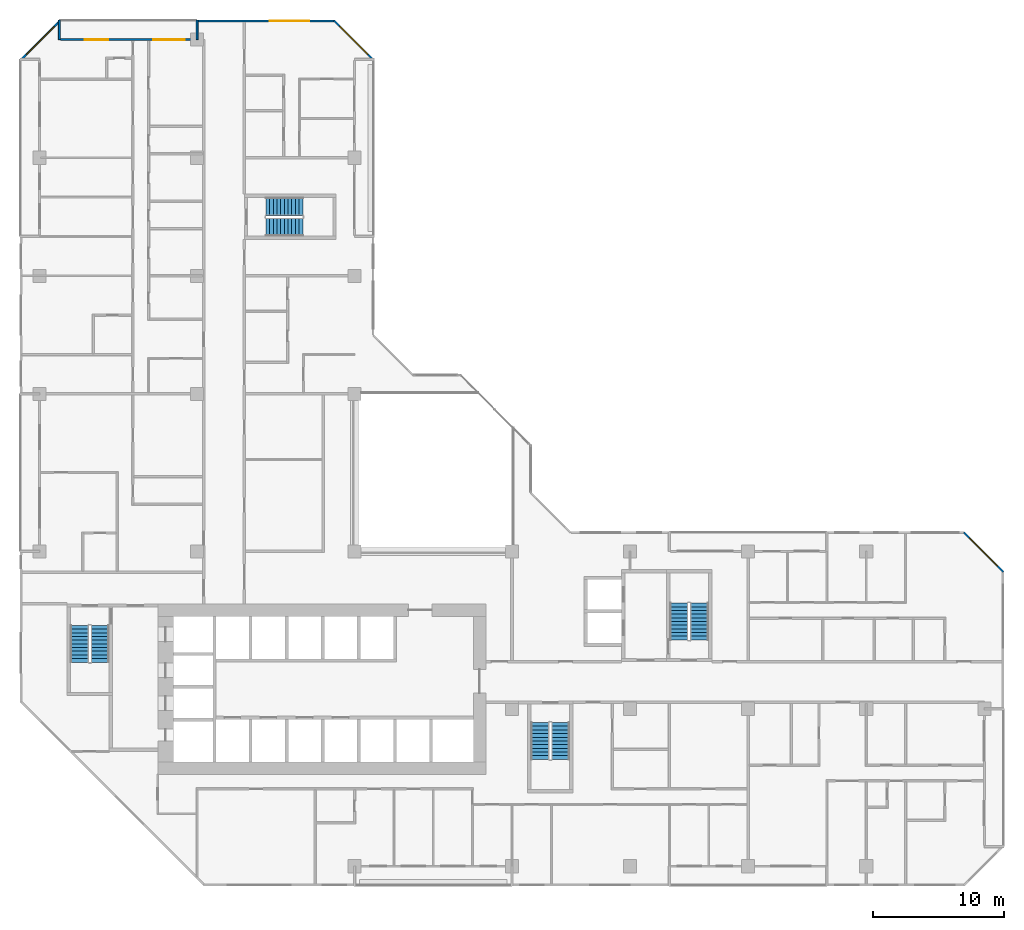
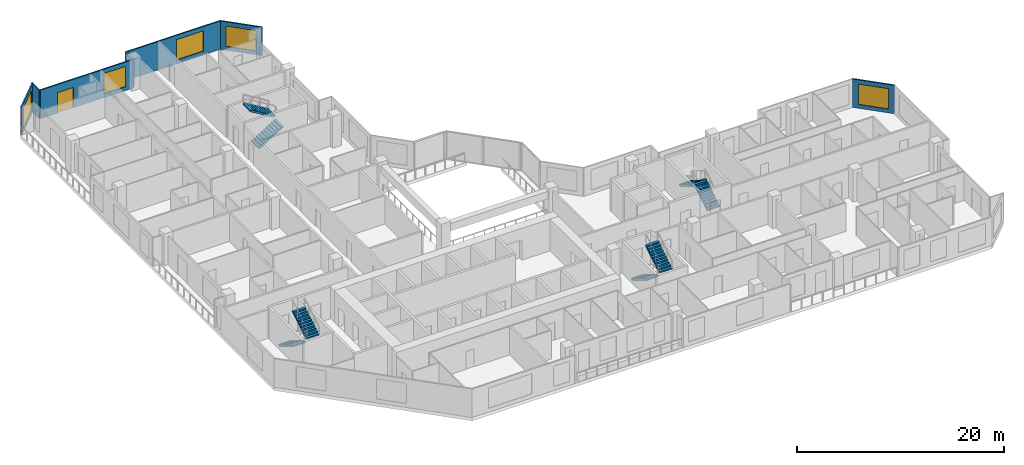
# One storey, part 13 of 15: 8 stair flights, 7 walls, 5 windows, 1 door, 6 openings, 4 elements without a shape of their own.
"""IFC4 building model written with IfcOpenShell, lengths in metres."""

from ifc_helpers import new_model, si_unit, direction, frame, frame_2d, origin, place, context, subcontext, project, spatial, polyline, rectangle, outline, extrude, material, layer, layer_set, type_object, element, fill, aggregate, save


model = new_model("IFC4")

# Units and contexts
model_context = context("Model", 3, precision=1e-05, world=origin(), true_north=direction((0.0, 1.0)))
body_context = subcontext(model_context, "Body", "Model", "MODEL_VIEW")
ifc_project = project(units=[si_unit("LENGTHUNIT", "METRE"), si_unit("AREAUNIT", "SQUARE_METRE"), si_unit("VOLUMEUNIT", "CUBIC_METRE"), si_unit("PLANEANGLEUNIT", "RADIAN"), si_unit("MASSUNIT", "GRAM", prefix="KILO")], contexts=[model_context])

# Site, building, storey
site_placement = place(None, origin())
site = spatial("IfcSite", under=ifc_project, at=site_placement, CompositionType="ELEMENT")
building_placement = place(site_placement, origin())
building = spatial("IfcBuilding", under=site, at=building_placement, Name="Chenar Terraces", CompositionType="ELEMENT")
storey_placement = place(building_placement, frame((0.0, 0.0, 125.64990234375)))
storey = spatial("IfcBuildingStorey", under=building, at=storey_placement, Name="L29", CompositionType="ELEMENT", Elevation=125.64990234375)

# Wall, opening, window
ifc_material_1 = material(Name="Aluminium framed glazing", Category="aluminium")
ifc_layer_1 = layer(ifc_material_1, 0.14990234375)
ifc_layer_set_1 = layer_set([ifc_layer_1], Name="Aluminium framed glazing")
wall_type_1 = type_object("IfcWallType", Name="Glazed flush facade wall 150", PredefinedType="SOLIDWALL", material=ifc_layer_set_1)
wall_1_placement = place(storey_placement, frame((22.5, 64.425048828125, 0.0), z_axis=(0.0, 0.0, 1.0), x_axis=(-1.0, 0.0, 0.0)))
wall_1 = element("IfcWall", 1, at=wall_1_placement, inside=storey, type_object=wall_type_1, Name="Glazed flush facade wall", PredefinedType="SOLIDWALL", context=body_context, shape_type="SweptSolid", body=[
    extrude(rectangle(XDim=10.425048828125, YDim=0.14990234375, at=frame_2d((5.21240234375, 0.0))), origin(), (0.0, 0.0, 1.0), 3.35009765625),
])
opening_1_placement = place(wall_1_placement, frame((1.949951171875, 0.0, 0.449951171875)))
opening_1 = element("IfcOpeningElement", 2, at=opening_1_placement, cuts=wall_1, Name="Opening W300x240", PredefinedType="OPENING", context=body_context, shape_type="SweptSolid", body=[
    extrude(rectangle(XDim=3.0, YDim=2.39990234375, at=frame_2d((1.5, 1.199951171875))), frame((0.0, 0.0849609375, 0.0), z_axis=(0.0, -1.0, 0.0), x_axis=(1.0, 0.0, 0.0)), (0.0, 0.0, 1.0), 0.169921875),
])
ifc_material_2 = material(Name="Low emissivity double glazing, aluminium frame", Category="aluminium")
window_type_1 = type_object("IfcWindowType", Name="Fixed light 3000 x 2400", PartitioningType="SINGLE_PANEL", PredefinedType="WINDOW", material=ifc_material_2)
window_1_placement = place(opening_1_placement, origin())
window_1 = element("IfcWindow", 3, at=window_1_placement, inside=storey, type_object=window_type_1, Name="Window", OverallHeight=2.39990234375, OverallWidth=3.0, PartitioningType="SINGLE_PANEL", PredefinedType="WINDOW", context=body_context, shape_type="SweptSolid", body=[
    extrude(rectangle(XDim=3.0, YDim=2.39990234375, at=frame_2d((1.5, 1.199951171875))), frame((0.0, 0.030029296875, 0.0), z_axis=(0.0, -1.0, 0.0), x_axis=(1.0, 0.0, 0.0)), (0.0, 0.0, 1.0), 0.06005859375),
])
fill(opening_1, window_1)

# Wall, openings, window, door
ifc_material_3 = material(Name="Aluminium framed glazing", Category="aluminium")
ifc_layer_2 = layer(ifc_material_3, 0.14990234375)
ifc_layer_set_2 = layer_set([ifc_layer_2], Name="Aluminium framed glazing")
wall_type_2 = type_object("IfcWallType", Name="Glazed loggia back wall 150", PredefinedType="SOLIDWALL", material=ifc_layer_set_2)
wall_2_placement = place(storey_placement, frame((11.925048828125, 63.0, 0.0), z_axis=(0.0, 0.0, 1.0), x_axis=(-1.0, 0.0, 0.0)))
wall_2 = element("IfcWall", 4, at=wall_2_placement, inside=storey, type_object=wall_type_2, Name="Glazed loggia back wall", PredefinedType="SOLIDWALL", context=body_context, shape_type="SweptSolid", body=[
    extrude(rectangle(XDim=10.35009765625, YDim=0.14990234375, at=frame_2d((5.175048828125, 0.0))), origin(), (0.0, 0.0, 1.0), 3.35009765625),
])
opening_2_placement = place(wall_2_placement, frame((0.875, 0.0, 0.449951171875)))
opening_2 = element("IfcOpeningElement", 5, at=opening_2_placement, cuts=wall_2, Name="Opening W240x240", PredefinedType="OPENING", context=body_context, shape_type="SweptSolid", body=[
    extrude(rectangle(XDim=2.39990234375, YDim=2.39990234375, at=frame_2d((1.199951171875, 1.199951171875))), frame((0.0, 0.0849609375, 0.0), z_axis=(0.0, -1.0, 0.0), x_axis=(1.0, 0.0, 0.0)), (0.0, 0.0, 1.0), 0.169921875),
])
opening_3_placement = place(wall_2_placement, frame((6.6875, 0.0, 0.0)))
opening_3 = element("IfcOpeningElement", 6, at=opening_3_placement, cuts=wall_2, Name="Opening DL29-G3", PredefinedType="OPENING", context=body_context, shape_type="SweptSolid", body=[
    extrude(rectangle(XDim=1.800048828125, YDim=2.39990234375, at=frame_2d((0.89990234375, 1.199951171875))), frame((0.0, 0.0849609375, 0.0), z_axis=(0.0, -1.0, 0.0), x_axis=(1.0, 0.0, 0.0)), (0.0, 0.0, 1.0), 0.169921875),
])
ifc_material_4 = material(Name="Low emissivity double glazing, aluminium frame", Category="aluminium")
window_type_2 = type_object("IfcWindowType", Name="Fixed light 2400 x 2400", PartitioningType="SINGLE_PANEL", PredefinedType="WINDOW", material=ifc_material_4)
window_2_placement = place(opening_2_placement, origin())
window_2 = element("IfcWindow", 7, at=window_2_placement, inside=storey, type_object=window_type_2, Name="Window", OverallHeight=2.39990234375, OverallWidth=2.39990234375, PartitioningType="SINGLE_PANEL", PredefinedType="WINDOW", context=body_context, shape_type="SweptSolid", body=[
    extrude(rectangle(XDim=2.39990234375, YDim=2.39990234375, at=frame_2d((1.199951171875, 1.199951171875))), frame((0.0, 0.030029296875, 0.0), z_axis=(0.0, -1.0, 0.0), x_axis=(1.0, 0.0, 0.0)), (0.0, 0.0, 1.0), 0.06005859375),
])
fill(opening_2, window_2)
ifc_material_5 = material(Name="Low emissivity double glazing, aluminium frame", Category="aluminium")
door_type = type_object("IfcDoorType", Name="Loggia glazed double door 1800 x 2400", OperationType="DOUBLE_DOOR_SINGLE_SWING", PredefinedType="DOOR", material=ifc_material_5)
door_placement = place(opening_3_placement, frame((1.800048828125, 0.0, 0.0), z_axis=(0.0, 0.0, 1.0), x_axis=(-1.0, 0.0, 0.0)))
door = element("IfcDoor", 8, at=door_placement, inside=storey, type_object=door_type, Name="Loggia glazed door", OperationType="DOUBLE_DOOR_SINGLE_SWING", OverallHeight=2.39990234375, OverallWidth=1.800048828125, PredefinedType="DOOR", context=body_context, shape_type="SweptSolid", body=[
    extrude(rectangle(XDim=1.800048828125, YDim=2.39990234375, at=frame_2d((0.89990234375, 1.199951171875))), frame((0.0, 0.02490234375, 0.0), z_axis=(0.0, -1.0, 0.0), x_axis=(1.0, 0.0, 0.0)), (0.0, 0.0, 1.0), 0.050048828125),
])
fill(opening_3, door)

# Walls
ifc_material_6 = material(Name="Terracotta cladding on insulated backing", Category="masonry")
ifc_layer_3 = layer(ifc_material_6, 0.14990234375)
ifc_layer_set_3 = layer_set([ifc_layer_3], Name="Terracotta cladding on insulated backing")
wall_type_3 = type_object("IfcWallType", Name="Loggia return wall 150", PredefinedType="SOLIDWALL", material=ifc_layer_set_3)
for number, where, z_axis, x_axis, name in (
    (9, (12.0, 64.5, 0.0), (0.0, 0.0, 1.0), (0.0, -1.0, 0.0), "Loggia return wall"),
    (10, (1.5, 64.5, 0.0), (0.0, 0.0, 1.0), (0.0, -1.0, 0.0), "Loggia return wall"),
):
    element("IfcWall", number, at=place(storey_placement, frame(where, z_axis=z_axis, x_axis=x_axis)), inside=storey, type_object=wall_type_3, Name=name, PredefinedType="SOLIDWALL", context=body_context, shape_type="SweptSolid", body=[
        extrude(rectangle(XDim=1.5, YDim=0.14990234375, at=frame_2d((0.75, 0.0))), origin(), (0.0, 0.0, 1.0), 3.35009765625),
    ])

# Wall, opening, window
ifc_material_7 = material(Name="Terracotta cladding on insulated backing", Category="masonry")
ifc_layer_4 = layer(ifc_material_7, 0.14990234375)
ifc_layer_set_4 = layer_set([ifc_layer_4], Name="Terracotta cladding on insulated backing")
wall_type_4 = type_object("IfcWallType", Name="Terracotta rainscreen wall 150", PredefinedType="SOLIDWALL", material=ifc_layer_set_4)
wall_3_placement = place(storey_placement, frame((25.447021484375, 61.447021484375, 0.0), z_axis=(0.0, 0.0, 1.0), x_axis=(-0.707106781187, 0.707106781187, 0.0)))
wall_3 = element("IfcWall", 11, at=wall_3_placement, inside=storey, type_object=wall_type_4, Name="Terracotta rainscreen wall", PredefinedType="SOLIDWALL", context=body_context, shape_type="SweptSolid", body=[
    extrude(rectangle(XDim=4.24267578125, YDim=0.14990234375, at=frame_2d((2.121337890625, 0.0))), origin(), (0.0, 0.0, 1.0), 3.35009765625),
])
opening_4_placement = place(wall_3_placement, frame((0.621337890625, 0.0, 0.449951171875)))
opening_4 = element("IfcOpeningElement", 12, at=opening_4_placement, cuts=wall_3, Name="Opening W300x240", PredefinedType="OPENING", context=body_context, shape_type="SweptSolid", body=[
    extrude(rectangle(XDim=3.0, YDim=2.39990234375, at=frame_2d((1.5, 1.199951171875))), frame((0.0, 0.0849609375, 0.0), z_axis=(0.0, -1.0, 0.0), x_axis=(1.0, 0.0, 0.0)), (0.0, 0.0, 1.0), 0.169921875),
])
window_3_placement = place(opening_4_placement, origin())
window_3 = element("IfcWindow", 13, at=window_3_placement, inside=storey, type_object=window_type_1, Name="Window", OverallHeight=2.39990234375, OverallWidth=3.0, PartitioningType="SINGLE_PANEL", PredefinedType="WINDOW", context=body_context, shape_type="SweptSolid", body=[
    extrude(rectangle(XDim=3.0, YDim=2.39990234375, at=frame_2d((1.5, 1.199951171875))), frame((0.0, 0.030029296875, 0.0), z_axis=(0.0, -1.0, 0.0), x_axis=(1.0, 0.0, 0.0)), (0.0, 0.0, 1.0), 0.06005859375),
])
fill(opening_4, window_3)

wall_4_placement = place(storey_placement, frame((1.552978515625, 64.447021484375, 0.0), z_axis=(0.0, 0.0, 1.0), x_axis=(-0.707106781187, -0.707106781187, 0.0)))
wall_4 = element("IfcWall", 14, at=wall_4_placement, inside=storey, type_object=wall_type_4, Name="Terracotta rainscreen wall", PredefinedType="SOLIDWALL", context=body_context, shape_type="SweptSolid", body=[
    extrude(rectangle(XDim=4.24267578125, YDim=0.14990234375, at=frame_2d((2.121337890625, 0.0))), origin(), (0.0, 0.0, 1.0), 3.35009765625),
])
opening_5_placement = place(wall_4_placement, frame((0.621337890625, 0.0, 0.449951171875)))
opening_5 = element("IfcOpeningElement", 15, at=opening_5_placement, cuts=wall_4, Name="Opening W300x240", PredefinedType="OPENING", context=body_context, shape_type="SweptSolid", body=[
    extrude(rectangle(XDim=3.0, YDim=2.39990234375, at=frame_2d((1.5, 1.199951171875))), frame((0.0, 0.0849609375, 0.0), z_axis=(0.0, -1.0, 0.0), x_axis=(1.0, 0.0, 0.0)), (0.0, 0.0, 1.0), 0.169921875),
])
window_4_placement = place(opening_5_placement, origin())
window_4 = element("IfcWindow", 16, at=window_4_placement, inside=storey, type_object=window_type_1, Name="Window", OverallHeight=2.39990234375, OverallWidth=3.0, PartitioningType="SINGLE_PANEL", PredefinedType="WINDOW", context=body_context, shape_type="SweptSolid", body=[
    extrude(rectangle(XDim=3.0, YDim=2.39990234375, at=frame_2d((1.5, 1.199951171875))), frame((0.0, 0.030029296875, 0.0), z_axis=(0.0, -1.0, 0.0), x_axis=(1.0, 0.0, 0.0)), (0.0, 0.0, 1.0), 0.06005859375),
])
fill(opening_5, window_4)

wall_5_placement = place(storey_placement, frame((73.447021484375, 22.447021484375, 0.0), z_axis=(0.0, 0.0, 1.0), x_axis=(-0.707106781187, 0.707106781187, 0.0)))
wall_5 = element("IfcWall", 17, at=wall_5_placement, inside=storey, type_object=wall_type_4, Name="Terracotta rainscreen wall", PredefinedType="SOLIDWALL", context=body_context, shape_type="SweptSolid", body=[
    extrude(rectangle(XDim=4.24267578125, YDim=0.14990234375, at=frame_2d((2.121337890625, 0.0))), origin(), (0.0, 0.0, 1.0), 3.35009765625),
])
opening_6_placement = place(wall_5_placement, frame((0.621337890625, 0.0, 0.449951171875)))
opening_6 = element("IfcOpeningElement", 18, at=opening_6_placement, cuts=wall_5, Name="Opening W300x240", PredefinedType="OPENING", context=body_context, shape_type="SweptSolid", body=[
    extrude(rectangle(XDim=3.0, YDim=2.39990234375, at=frame_2d((1.5, 1.199951171875))), frame((0.0, 0.0849609375, 0.0), z_axis=(0.0, -1.0, 0.0), x_axis=(1.0, 0.0, 0.0)), (0.0, 0.0, 1.0), 0.169921875),
])
window_5_placement = place(opening_6_placement, origin())
window_5 = element("IfcWindow", 19, at=window_5_placement, inside=storey, type_object=window_type_1, Name="Window", OverallHeight=2.39990234375, OverallWidth=3.0, PartitioningType="SINGLE_PANEL", PredefinedType="WINDOW", context=body_context, shape_type="SweptSolid", body=[
    extrude(rectangle(XDim=3.0, YDim=2.39990234375, at=frame_2d((1.5, 1.199951171875))), frame((0.0, 0.030029296875, 0.0), z_axis=(0.0, -1.0, 0.0), x_axis=(1.0, 0.0, 0.0)), (0.0, 0.0, 1.0), 0.06005859375),
])
fill(opening_6, window_5)

# Stair, stair flights
ifc_material_8 = material(Name="Reinforced concrete C40/50", Category="concrete")
stair_type = type_object("IfcStairType", Name="Core stair 1400 half-turn", PredefinedType="HALF_TURN_STAIR", material=ifc_material_8)
placement = place(storey_placement, origin())
stair_1 = element("IfcStair", 20, at=placement, inside=storey, type_object=stair_type, Name="L29 Stair 1", PredefinedType="HALF_TURN_STAIR")
ifc_material_9 = material(Name="Reinforced concrete C40/50", Category="concrete")
stair_flight_type = type_object("IfcStairFlightType", Name="Core stair flight 1400", PredefinedType="STRAIGHT", material=ifc_material_9)
stair_flight_1_placement = place(storey_placement, frame((3.050048828125, 18.35009765625, 0.0), z_axis=(0.0, 0.0, 1.0), x_axis=(0.0, -1.0, 0.0)))
stair_flight_1 = element("IfcStairFlight", 21, at=stair_flight_1_placement, type_object=stair_flight_type, Name="ST1 flight 1", NumberOfRisers=11, NumberOfTreads=10, PredefinedType="STRAIGHT", RiserHeight=0.170454545, TreadLength=0.28, context=body_context, shape_type="SweptSolid", body=[
    extrude(outline(polyline([(-0.0029296875, 0.0), (-0.0029296875, 0.17041015625), (0.0, 0.17041015625), (0.280029296875, 0.17041015625), (0.280029296875, 0.3408203125), (0.56005859375, 0.3408203125), (0.56005859375, 0.511474609375), (0.840087890625, 0.511474609375), (0.840087890625, 0.681884765625), (1.1201171875, 0.681884765625), (1.1201171875, 0.852294921875), (1.39990234375, 0.852294921875), (1.39990234375, 1.022705078125), (1.679931640625, 1.022705078125), (1.679931640625, 1.193115234375), (1.9599609375, 1.193115234375), (1.9599609375, 1.363525390625), (2.239990234375, 1.363525390625), (2.239990234375, 1.5341796875), (2.52001953125, 1.5341796875), (2.52001953125, 1.70458984375), (2.800048828125, 1.70458984375), (2.802978515625, 1.70458984375), (2.802978515625, 1.529052734375), (2.800048828125, 1.529052734375), (0.288330078125, 0.0), (-0.0029296875, 0.0)])), frame((0.0, 0.699951171875, 0.0), z_axis=(0.0, -1.0, 0.0), x_axis=(1.0, 0.0, 0.0)), (0.0, 0.0, 1.0), 1.39990234375),
])
stair_flight_2_placement = place(storey_placement, frame((4.60009765625, 15.550048828125, 1.875), z_axis=(0.0, 0.0, 1.0), x_axis=(0.0, 1.0, 0.0)))
stair_flight_2 = element("IfcStairFlight", 22, at=stair_flight_2_placement, type_object=stair_flight_type, Name="ST1 flight 2", NumberOfRisers=11, NumberOfTreads=10, PredefinedType="STRAIGHT", RiserHeight=0.170454545, TreadLength=0.28, context=body_context, shape_type="SweptSolid", body=[
    extrude(outline(polyline([(-0.0029296875, 0.0), (-0.0029296875, 0.17041015625), (0.0, 0.17041015625), (0.280029296875, 0.17041015625), (0.280029296875, 0.3408203125), (0.56005859375, 0.3408203125), (0.56005859375, 0.511474609375), (0.840087890625, 0.511474609375), (0.840087890625, 0.681884765625), (1.1201171875, 0.681884765625), (1.1201171875, 0.852294921875), (1.39990234375, 0.852294921875), (1.39990234375, 1.022705078125), (1.679931640625, 1.022705078125), (1.679931640625, 1.193115234375), (1.9599609375, 1.193115234375), (1.9599609375, 1.363525390625), (2.239990234375, 1.363525390625), (2.239990234375, 1.5341796875), (2.52001953125, 1.5341796875), (2.52001953125, 1.70458984375), (2.800048828125, 1.70458984375), (2.802978515625, 1.70458984375), (2.802978515625, 1.529052734375), (2.800048828125, 1.529052734375), (0.288330078125, 0.0), (-0.0029296875, 0.0)])), frame((0.0, 0.699951171875, 0.0), z_axis=(0.0, -1.0, 0.0), x_axis=(1.0, 0.0, 0.0)), (0.0, 0.0, 1.0), 1.39990234375),
])
aggregate(stair_1, [stair_flight_1, stair_flight_2])

stair_2 = element("IfcStair", 23, at=placement, inside=storey, type_object=stair_type, Name="L29 Stair 2", PredefinedType="HALF_TURN_STAIR")
stair_flight_3_placement = place(storey_placement, frame((38.14990234375, 10.949951171875, 0.0), z_axis=(0.0, 0.0, 1.0), x_axis=(0.0, -1.0, 0.0)))
stair_flight_3 = element("IfcStairFlight", 24, at=stair_flight_3_placement, type_object=stair_flight_type, Name="ST2 flight 1", NumberOfRisers=11, NumberOfTreads=10, PredefinedType="STRAIGHT", RiserHeight=0.170454545, TreadLength=0.28, context=body_context, shape_type="SweptSolid", body=[
    extrude(outline(polyline([(-0.0029296875, 0.0), (-0.0029296875, 0.17041015625), (0.0, 0.17041015625), (0.280029296875, 0.17041015625), (0.280029296875, 0.3408203125), (0.56005859375, 0.3408203125), (0.56005859375, 0.511474609375), (0.840087890625, 0.511474609375), (0.840087890625, 0.681884765625), (1.1201171875, 0.681884765625), (1.1201171875, 0.852294921875), (1.39990234375, 0.852294921875), (1.39990234375, 1.022705078125), (1.679931640625, 1.022705078125), (1.679931640625, 1.193115234375), (1.9599609375, 1.193115234375), (1.9599609375, 1.363525390625), (2.239990234375, 1.363525390625), (2.239990234375, 1.5341796875), (2.52001953125, 1.5341796875), (2.52001953125, 1.70458984375), (2.800048828125, 1.70458984375), (2.802978515625, 1.70458984375), (2.802978515625, 1.529052734375), (2.800048828125, 1.529052734375), (0.288330078125, 0.0), (-0.0029296875, 0.0)])), frame((0.0, 0.699951171875, 0.0), z_axis=(0.0, -1.0, 0.0), x_axis=(1.0, 0.0, 0.0)), (0.0, 0.0, 1.0), 1.39990234375),
])
stair_flight_4_placement = place(storey_placement, frame((39.699951171875, 8.14990234375, 1.875), z_axis=(0.0, 0.0, 1.0), x_axis=(0.0, 1.0, 0.0)))
stair_flight_4 = element("IfcStairFlight", 25, at=stair_flight_4_placement, type_object=stair_flight_type, Name="ST2 flight 2", NumberOfRisers=11, NumberOfTreads=10, PredefinedType="STRAIGHT", RiserHeight=0.170454545, TreadLength=0.28, context=body_context, shape_type="SweptSolid", body=[
    extrude(outline(polyline([(-0.0029296875, 0.0), (-0.0029296875, 0.17041015625), (0.0, 0.17041015625), (0.280029296875, 0.17041015625), (0.280029296875, 0.3408203125), (0.56005859375, 0.3408203125), (0.56005859375, 0.511474609375), (0.840087890625, 0.511474609375), (0.840087890625, 0.681884765625), (1.1201171875, 0.681884765625), (1.1201171875, 0.852294921875), (1.39990234375, 0.852294921875), (1.39990234375, 1.022705078125), (1.679931640625, 1.022705078125), (1.679931640625, 1.193115234375), (1.9599609375, 1.193115234375), (1.9599609375, 1.363525390625), (2.239990234375, 1.363525390625), (2.239990234375, 1.5341796875), (2.52001953125, 1.5341796875), (2.52001953125, 1.70458984375), (2.800048828125, 1.70458984375), (2.802978515625, 1.70458984375), (2.802978515625, 1.529052734375), (2.800048828125, 1.529052734375), (0.288330078125, 0.0), (-0.0029296875, 0.0)])), frame((0.0, 0.699951171875, 0.0), z_axis=(0.0, -1.0, 0.0), x_axis=(1.0, 0.0, 0.0)), (0.0, 0.0, 1.0), 1.39990234375),
])
aggregate(stair_2, [stair_flight_3, stair_flight_4])

stair_3 = element("IfcStair", 26, at=placement, inside=storey, type_object=stair_type, Name="L29 Stair 3", PredefinedType="HALF_TURN_STAIR")
stair_flight_5_placement = place(storey_placement, frame((50.27490234375, 17.25, 0.0), z_axis=(0.0, 0.0, 1.0), x_axis=(0.0, 1.0, 0.0)))
stair_flight_5 = element("IfcStairFlight", 27, at=stair_flight_5_placement, type_object=stair_flight_type, Name="ST3 flight 1", NumberOfRisers=11, NumberOfTreads=10, PredefinedType="STRAIGHT", RiserHeight=0.170454545, TreadLength=0.28, context=body_context, shape_type="SweptSolid", body=[
    extrude(outline(polyline([(-0.0029296875, 0.0), (-0.0029296875, 0.17041015625), (0.0, 0.17041015625), (0.280029296875, 0.17041015625), (0.280029296875, 0.3408203125), (0.56005859375, 0.3408203125), (0.56005859375, 0.511474609375), (0.840087890625, 0.511474609375), (0.840087890625, 0.681884765625), (1.1201171875, 0.681884765625), (1.1201171875, 0.852294921875), (1.39990234375, 0.852294921875), (1.39990234375, 1.022705078125), (1.679931640625, 1.022705078125), (1.679931640625, 1.193115234375), (1.9599609375, 1.193115234375), (1.9599609375, 1.363525390625), (2.239990234375, 1.363525390625), (2.239990234375, 1.5341796875), (2.52001953125, 1.5341796875), (2.52001953125, 1.70458984375), (2.800048828125, 1.70458984375), (2.802978515625, 1.70458984375), (2.802978515625, 1.529052734375), (2.800048828125, 1.529052734375), (0.288330078125, 0.0), (-0.0029296875, 0.0)])), frame((0.0, 0.699951171875, 0.0), z_axis=(0.0, -1.0, 0.0), x_axis=(1.0, 0.0, 0.0)), (0.0, 0.0, 1.0), 1.39990234375),
])
stair_flight_6_placement = place(storey_placement, frame((48.72509765625, 20.050048828125, 1.875), z_axis=(0.0, 0.0, 1.0), x_axis=(0.0, -1.0, 0.0)))
stair_flight_6 = element("IfcStairFlight", 28, at=stair_flight_6_placement, type_object=stair_flight_type, Name="ST3 flight 2", NumberOfRisers=11, NumberOfTreads=10, PredefinedType="STRAIGHT", RiserHeight=0.170454545, TreadLength=0.28, context=body_context, shape_type="SweptSolid", body=[
    extrude(outline(polyline([(-0.0029296875, 0.0), (-0.0029296875, 0.17041015625), (0.0, 0.17041015625), (0.280029296875, 0.17041015625), (0.280029296875, 0.3408203125), (0.56005859375, 0.3408203125), (0.56005859375, 0.511474609375), (0.840087890625, 0.511474609375), (0.840087890625, 0.681884765625), (1.1201171875, 0.681884765625), (1.1201171875, 0.852294921875), (1.39990234375, 0.852294921875), (1.39990234375, 1.022705078125), (1.679931640625, 1.022705078125), (1.679931640625, 1.193115234375), (1.9599609375, 1.193115234375), (1.9599609375, 1.363525390625), (2.239990234375, 1.363525390625), (2.239990234375, 1.5341796875), (2.52001953125, 1.5341796875), (2.52001953125, 1.70458984375), (2.800048828125, 1.70458984375), (2.802978515625, 1.70458984375), (2.802978515625, 1.529052734375), (2.800048828125, 1.529052734375), (0.288330078125, 0.0), (-0.0029296875, 0.0)])), frame((0.0, 0.699951171875, 0.0), z_axis=(0.0, -1.0, 0.0), x_axis=(1.0, 0.0, 0.0)), (0.0, 0.0, 1.0), 1.39990234375),
])
aggregate(stair_3, [stair_flight_5, stair_flight_6])

stair_4 = element("IfcStair", 29, at=placement, inside=storey, type_object=stair_type, Name="L29 Stair 4", PredefinedType="HALF_TURN_STAIR")
stair_flight_7_placement = place(storey_placement, frame((17.25, 48.72509765625, 0.0), z_axis=(0.0, 0.0, 1.0), x_axis=(1.0, 0.0, 0.0)))
stair_flight_7 = element("IfcStairFlight", 30, at=stair_flight_7_placement, type_object=stair_flight_type, Name="ST4 flight 1", NumberOfRisers=11, NumberOfTreads=10, PredefinedType="STRAIGHT", RiserHeight=0.170454545, TreadLength=0.28, context=body_context, shape_type="SweptSolid", body=[
    extrude(outline(polyline([(-0.0029296875, 0.0), (-0.0029296875, 0.17041015625), (0.0, 0.17041015625), (0.280029296875, 0.17041015625), (0.280029296875, 0.3408203125), (0.56005859375, 0.3408203125), (0.56005859375, 0.511474609375), (0.840087890625, 0.511474609375), (0.840087890625, 0.681884765625), (1.1201171875, 0.681884765625), (1.1201171875, 0.852294921875), (1.39990234375, 0.852294921875), (1.39990234375, 1.022705078125), (1.679931640625, 1.022705078125), (1.679931640625, 1.193115234375), (1.9599609375, 1.193115234375), (1.9599609375, 1.363525390625), (2.239990234375, 1.363525390625), (2.239990234375, 1.5341796875), (2.52001953125, 1.5341796875), (2.52001953125, 1.70458984375), (2.800048828125, 1.70458984375), (2.802978515625, 1.70458984375), (2.802978515625, 1.529052734375), (2.800048828125, 1.529052734375), (0.288330078125, 0.0), (-0.0029296875, 0.0)])), frame((0.0, 0.699951171875, 0.0), z_axis=(0.0, -1.0, 0.0), x_axis=(1.0, 0.0, 0.0)), (0.0, 0.0, 1.0), 1.39990234375),
])
stair_flight_8_placement = place(storey_placement, frame((20.050048828125, 50.27490234375, 1.875), z_axis=(0.0, 0.0, 1.0), x_axis=(-1.0, 0.0, 0.0)))
stair_flight_8 = element("IfcStairFlight", 31, at=stair_flight_8_placement, type_object=stair_flight_type, Name="ST4 flight 2", NumberOfRisers=11, NumberOfTreads=10, PredefinedType="STRAIGHT", RiserHeight=0.170454545, TreadLength=0.28, context=body_context, shape_type="SweptSolid", body=[
    extrude(outline(polyline([(-0.0029296875, 0.0), (-0.0029296875, 0.17041015625), (0.0, 0.17041015625), (0.280029296875, 0.17041015625), (0.280029296875, 0.3408203125), (0.56005859375, 0.3408203125), (0.56005859375, 0.511474609375), (0.840087890625, 0.511474609375), (0.840087890625, 0.681884765625), (1.1201171875, 0.681884765625), (1.1201171875, 0.852294921875), (1.39990234375, 0.852294921875), (1.39990234375, 1.022705078125), (1.679931640625, 1.022705078125), (1.679931640625, 1.193115234375), (1.9599609375, 1.193115234375), (1.9599609375, 1.363525390625), (2.239990234375, 1.363525390625), (2.239990234375, 1.5341796875), (2.52001953125, 1.5341796875), (2.52001953125, 1.70458984375), (2.800048828125, 1.70458984375), (2.802978515625, 1.70458984375), (2.802978515625, 1.529052734375), (2.800048828125, 1.529052734375), (0.288330078125, 0.0), (-0.0029296875, 0.0)])), frame((0.0, 0.699951171875, 0.0), z_axis=(0.0, -1.0, 0.0), x_axis=(1.0, 0.0, 0.0)), (0.0, 0.0, 1.0), 1.39990234375),
])
aggregate(stair_4, [stair_flight_7, stair_flight_8])

save(model, "model.ifc")
